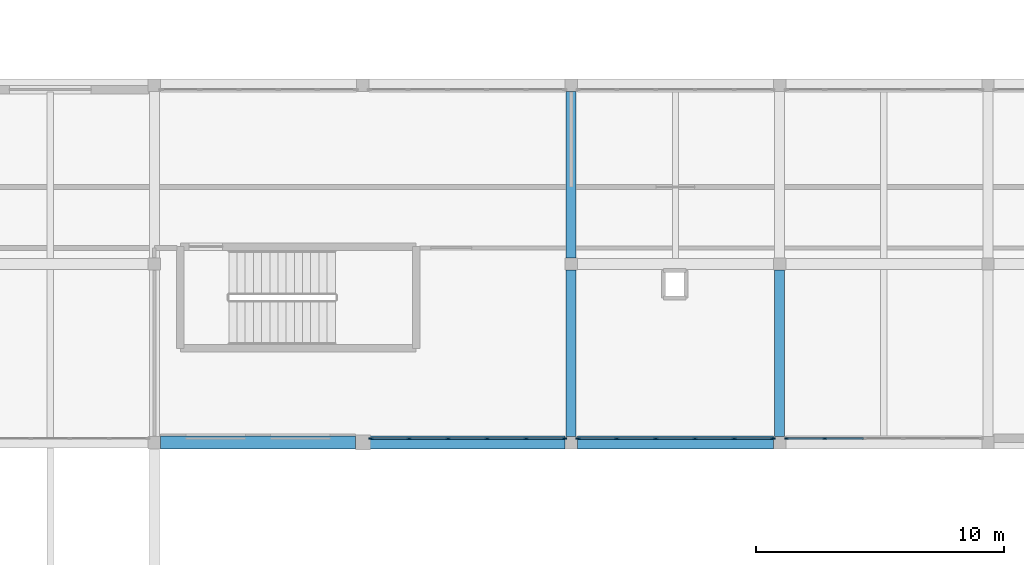
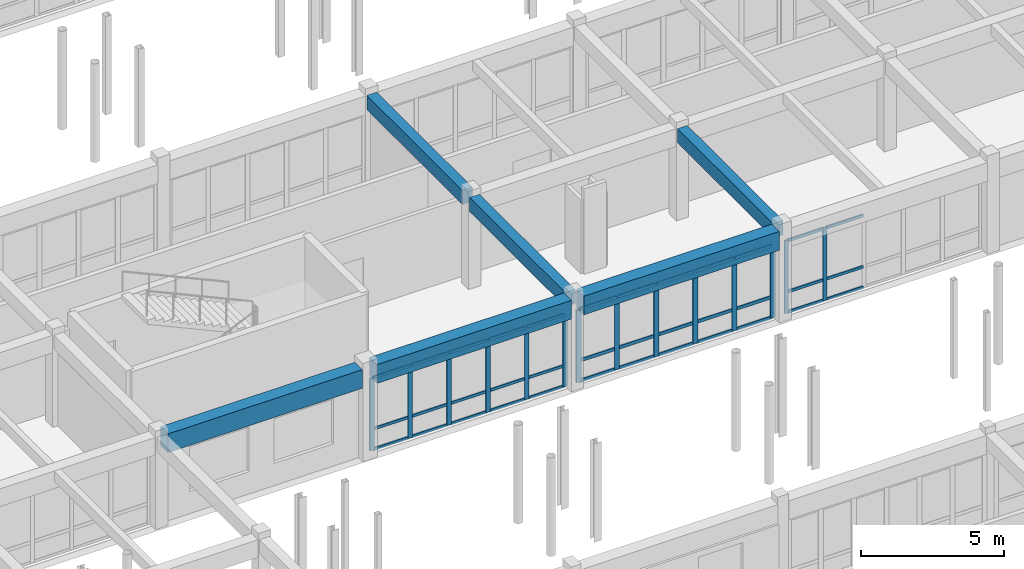
# One storey, part 51 of 147: 50 members, 6 beams, 3 elements without a shape of their own.
"""IFC4 building model written with IfcOpenShell, lengths in metres."""

from ifc_helpers import new_model, si_unit, direction, frame, origin, origin_2d, place, context, subcontext, project, spatial, rectangle, extrude, material, material_profile, profile_set, type_object, element, aggregate, save


model = new_model("IFC4")

# Units and contexts
model_context = context("Model", 3, precision=1e-05, world=origin(), true_north=direction((0.0, 1.0)))
body_context = subcontext(model_context, "Body", "Model", "MODEL_VIEW")
ifc_project = project(units=[si_unit("LENGTHUNIT", "METRE"), si_unit("AREAUNIT", "SQUARE_METRE"), si_unit("VOLUMEUNIT", "CUBIC_METRE"), si_unit("PLANEANGLEUNIT", "RADIAN"), si_unit("MASSUNIT", "GRAM", prefix="KILO")], contexts=[model_context])

# Site, building, storey
site_placement = place(None, origin())
site = spatial("IfcSite", under=ifc_project, at=site_placement, CompositionType="ELEMENT")
building_placement = place(site_placement, origin())
building = spatial("IfcBuilding", under=site, at=building_placement, Name="Malvenik Polytechnic", CompositionType="ELEMENT")
storey_placement = place(building_placement, frame((0.0, 0.0, 5.10009765625)))
storey = spatial("IfcBuildingStorey", under=building, at=storey_placement, Name="L01", CompositionType="ELEMENT", Elevation=5.10009765625)

# Curtain wall, members
ifc_material_1 = material(Name="Anodised aluminium 6060-T6", Category="aluminium")
curtain_wall_type = type_object("IfcCurtainWallType", Name="ARC-CW-CW-02", PredefinedType="NOTDEFINED", material=ifc_material_1)
curtain_wall_1_placement = place(storey_placement, origin())
curtain_wall_1 = element("IfcCurtainWall", 1, at=curtain_wall_1_placement, inside=storey, type_object=curtain_wall_type, Name="Unitised Curtain Wall CW-02 L01 #89", PredefinedType="NOTDEFINED")
ifc_material_2 = material(Name="Anodised aluminium", Category="aluminium")
ifc_material_profile_1 = material_profile(ifc_material_2, rectangle(XDim=0.06005859375, YDim=0.159912109375, at=origin_2d()), Name="ALU MULLION 60x160")
ifc_profile_set_1 = profile_set([ifc_material_profile_1], Name="Anodised aluminium")
member_type_1 = type_object("IfcMemberType", Name="ARC-CWM-160", PredefinedType="MULLION", material=ifc_profile_set_1)
member_1_placement = place(storey_placement, frame((119.4287109375, 50.570068359375, 0.0), z_axis=(0.0, 0.0, 1.0), x_axis=(0.0, -1.0, 0.0)))
member_1 = element("IfcMember", 2, at=member_1_placement, type_object=member_type_1, Name="CW-02 mullion 5", PredefinedType="MULLION", context=body_context, shape_type="SweptSolid", body=[
    extrude(rectangle(XDim=0.06005859375, YDim=0.159912109375, at=origin_2d()), origin(), (0.0, 0.0, 1.0), 3.10986328125),
])
member_2_placement = place(storey_placement, frame((117.8779296875, 50.570068359375, 0.0), z_axis=(0.0, 0.0, 1.0), x_axis=(0.0, -1.0, 0.0)))
member_2 = element("IfcMember", 3, at=member_2_placement, type_object=member_type_1, Name="CW-02 mullion 6", PredefinedType="MULLION", context=body_context, shape_type="SweptSolid", body=[
    extrude(rectangle(XDim=0.06005859375, YDim=0.159912109375, at=origin_2d()), origin(), (0.0, 0.0, 1.0), 3.10986328125),
])

curtain_wall_2_placement = place(storey_placement, origin())
curtain_wall_2 = element("IfcCurtainWall", 4, at=curtain_wall_2_placement, inside=storey, type_object=curtain_wall_type, Name="Unitised Curtain Wall CW-02 L01 #91", PredefinedType="NOTDEFINED")
ifc_material_profile_2 = material_profile(ifc_material_2, rectangle(XDim=0.06005859375, YDim=0.179931640625, at=origin_2d()), Name="ALU MULLION 60x180")
ifc_profile_set_2 = profile_set([ifc_material_profile_2], Name="Anodised aluminium")
member_type_2 = type_object("IfcMemberType", Name="ARC-CWM-180", PredefinedType="MULLION", material=ifc_profile_set_2)
member_3_placement = place(storey_placement, frame((108.922119140625, 50.570068359375, 0.0), z_axis=(0.0, 0.0, 1.0), x_axis=(0.0, -1.0, 0.0)))
member_3 = element("IfcMember", 5, at=member_3_placement, type_object=member_type_2, Name="CW-02 mullion 1", PredefinedType="MULLION", context=body_context, shape_type="SweptSolid", body=[
    extrude(rectangle(XDim=0.06005859375, YDim=0.179931640625, at=origin_2d()), origin(), (0.0, 0.0, 1.0), 3.10986328125),
])
member_4_placement = place(storey_placement, frame((107.381103515625, 50.570068359375, 0.0), z_axis=(0.0, 0.0, 1.0), x_axis=(0.0, -1.0, 0.0)))
member_4 = element("IfcMember", 6, at=member_4_placement, type_object=member_type_2, Name="CW-02 mullion 2", PredefinedType="MULLION", context=body_context, shape_type="SweptSolid", body=[
    extrude(rectangle(XDim=0.06005859375, YDim=0.179931640625, at=origin_2d()), origin(), (0.0, 0.0, 1.0), 3.10986328125),
])
member_5_placement = place(storey_placement, frame((105.810302734375, 50.570068359375, 0.0), z_axis=(0.0, 0.0, 1.0), x_axis=(0.0, -1.0, 0.0)))
member_5 = element("IfcMember", 7, at=member_5_placement, type_object=member_type_2, Name="CW-02 mullion 3", PredefinedType="MULLION", context=body_context, shape_type="SweptSolid", body=[
    extrude(rectangle(XDim=0.06005859375, YDim=0.179931640625, at=origin_2d()), origin(), (0.0, 0.0, 1.0), 3.10986328125),
])
member_6_placement = place(storey_placement, frame((104.239501953125, 50.570068359375, 0.0), z_axis=(0.0, 0.0, 1.0), x_axis=(0.0, -1.0, 0.0)))
member_6 = element("IfcMember", 8, at=member_6_placement, type_object=member_type_2, Name="CW-02 mullion 4", PredefinedType="MULLION", context=body_context, shape_type="SweptSolid", body=[
    extrude(rectangle(XDim=0.06005859375, YDim=0.179931640625, at=origin_2d()), origin(), (0.0, 0.0, 1.0), 3.10986328125),
])
member_7_placement = place(storey_placement, frame((102.668701171875, 50.570068359375, 0.0), z_axis=(0.0, 0.0, 1.0), x_axis=(0.0, -1.0, 0.0)))
member_7 = element("IfcMember", 9, at=member_7_placement, type_object=member_type_2, Name="CW-02 mullion 5", PredefinedType="MULLION", context=body_context, shape_type="SweptSolid", body=[
    extrude(rectangle(XDim=0.06005859375, YDim=0.179931640625, at=origin_2d()), origin(), (0.0, 0.0, 1.0), 3.10986328125),
])
member_8_placement = place(storey_placement, frame((101.1279296875, 50.570068359375, 0.0), z_axis=(0.0, 0.0, 1.0), x_axis=(0.0, -1.0, 0.0)))
member_8 = element("IfcMember", 10, at=member_8_placement, type_object=member_type_2, Name="CW-02 mullion 6", PredefinedType="MULLION", context=body_context, shape_type="SweptSolid", body=[
    extrude(rectangle(XDim=0.06005859375, YDim=0.179931640625, at=origin_2d()), origin(), (0.0, 0.0, 1.0), 3.10986328125),
])

curtain_wall_3_placement = place(storey_placement, origin())
curtain_wall_3 = element("IfcCurtainWall", 11, at=curtain_wall_3_placement, inside=storey, type_object=curtain_wall_type, Name="Unitised Curtain Wall CW-02 L01 #90", PredefinedType="NOTDEFINED")
ifc_material_profile_3 = material_profile(ifc_material_2, rectangle(XDim=0.06005859375, YDim=0.199951171875, at=origin_2d()), Name="ALU MULLION 60x200")
ifc_profile_set_3 = profile_set([ifc_material_profile_3], Name="Anodised aluminium")
member_type_3 = type_object("IfcMemberType", Name="ARC-CWM-200", PredefinedType="MULLION", material=ifc_profile_set_3)
member_9_placement = place(storey_placement, frame((117.322021484375, 50.570068359375, 0.0), z_axis=(0.0, 0.0, 1.0), x_axis=(0.0, -1.0, 0.0)))
member_9 = element("IfcMember", 12, at=member_9_placement, type_object=member_type_3, Name="CW-02 mullion 1", PredefinedType="MULLION", context=body_context, shape_type="SweptSolid", body=[
    extrude(rectangle(XDim=0.06005859375, YDim=0.199951171875, at=origin_2d()), origin(), (0.0, 0.0, 1.0), 3.10986328125),
])
member_10_placement = place(storey_placement, frame((115.771240234375, 50.570068359375, 0.0), z_axis=(0.0, 0.0, 1.0), x_axis=(0.0, -1.0, 0.0)))
member_10 = element("IfcMember", 13, at=member_10_placement, type_object=member_type_3, Name="CW-02 mullion 2", PredefinedType="MULLION", context=body_context, shape_type="SweptSolid", body=[
    extrude(rectangle(XDim=0.06005859375, YDim=0.199951171875, at=origin_2d()), origin(), (0.0, 0.0, 1.0), 3.10986328125),
])
member_11_placement = place(storey_placement, frame((114.1904296875, 50.570068359375, 0.0), z_axis=(0.0, 0.0, 1.0), x_axis=(0.0, -1.0, 0.0)))
member_11 = element("IfcMember", 14, at=member_11_placement, type_object=member_type_3, Name="CW-02 mullion 3", PredefinedType="MULLION", context=body_context, shape_type="SweptSolid", body=[
    extrude(rectangle(XDim=0.06005859375, YDim=0.199951171875, at=origin_2d()), origin(), (0.0, 0.0, 1.0), 3.10986328125),
])
member_12_placement = place(storey_placement, frame((112.609619140625, 50.570068359375, 0.0), z_axis=(0.0, 0.0, 1.0), x_axis=(0.0, -1.0, 0.0)))
member_12 = element("IfcMember", 15, at=member_12_placement, type_object=member_type_3, Name="CW-02 mullion 4", PredefinedType="MULLION", context=body_context, shape_type="SweptSolid", body=[
    extrude(rectangle(XDim=0.06005859375, YDim=0.199951171875, at=origin_2d()), origin(), (0.0, 0.0, 1.0), 3.10986328125),
])
member_13_placement = place(storey_placement, frame((111.02880859375, 50.570068359375, 0.0), z_axis=(0.0, 0.0, 1.0), x_axis=(0.0, -1.0, 0.0)))
member_13 = element("IfcMember", 16, at=member_13_placement, type_object=member_type_3, Name="CW-02 mullion 5", PredefinedType="MULLION", context=body_context, shape_type="SweptSolid", body=[
    extrude(rectangle(XDim=0.06005859375, YDim=0.199951171875, at=origin_2d()), origin(), (0.0, 0.0, 1.0), 3.10986328125),
])
member_14_placement = place(storey_placement, frame((109.47802734375, 50.570068359375, 0.0), z_axis=(0.0, 0.0, 1.0), x_axis=(0.0, -1.0, 0.0)))
member_14 = element("IfcMember", 17, at=member_14_placement, type_object=member_type_3, Name="CW-02 mullion 6", PredefinedType="MULLION", context=body_context, shape_type="SweptSolid", body=[
    extrude(rectangle(XDim=0.06005859375, YDim=0.199951171875, at=origin_2d()), origin(), (0.0, 0.0, 1.0), 3.10986328125),
])

# Member
ifc_material_profile_4 = material_profile(ifc_material_2, rectangle(XDim=0.06005859375, YDim=0.1201171875, at=origin_2d()), Name="ALU TRANSOM 60x120")
ifc_profile_set_4 = profile_set([ifc_material_profile_4], Name="Anodised aluminium")
member_type_4 = type_object("IfcMemberType", Name="ARC-CWT-120", PredefinedType="USERDEFINED", material=ifc_profile_set_4)
member_15_placement = place(storey_placement, frame((120.9794921875, 50.570068359375, 0.02978515625), z_axis=(-1.0, 0.0, 0.0), x_axis=(0.0, -1.0, 0.0)))
member_15 = element("IfcMember", 18, at=member_15_placement, type_object=member_type_4, Name="CW-02 transom 4.1", ObjectType="TRANSOM", PredefinedType="USERDEFINED", context=body_context, shape_type="SweptSolid", body=[
    extrude(rectangle(XDim=0.06005859375, YDim=0.1201171875, at=origin_2d()), origin(), (0.0, 0.0, 1.0), 1.520751953125),
])

member_16_placement = place(storey_placement, frame((120.9794921875, 50.570068359375, 0.89990234375), z_axis=(-1.0, 0.0, 0.0), x_axis=(0.0, -1.0, 0.0)))
member_16 = element("IfcMember", 19, at=member_16_placement, type_object=member_type_4, Name="CW-02 transom 4.2", ObjectType="TRANSOM", PredefinedType="USERDEFINED", context=body_context, shape_type="SweptSolid", body=[
    extrude(rectangle(XDim=0.06005859375, YDim=0.1201171875, at=origin_2d()), origin(), (0.0, 0.0, 1.0), 1.520751953125),
])

member_17_placement = place(storey_placement, frame((120.9794921875, 50.570068359375, 3.079833984375), z_axis=(-1.0, 0.0, 0.0), x_axis=(0.0, -1.0, 0.0)))
member_17 = element("IfcMember", 20, at=member_17_placement, type_object=member_type_4, Name="CW-02 transom 4.3", ObjectType="TRANSOM", PredefinedType="USERDEFINED", context=body_context, shape_type="SweptSolid", body=[
    extrude(rectangle(XDim=0.06005859375, YDim=0.1201171875, at=origin_2d()), origin(), (0.0, 0.0, 1.0), 1.520751953125),
])

member_18_placement = place(storey_placement, frame((119.398681640625, 50.570068359375, 0.02978515625), z_axis=(-1.0, 0.0, 0.0), x_axis=(0.0, -1.0, 0.0)))
member_18 = element("IfcMember", 21, at=member_18_placement, type_object=member_type_4, Name="CW-02 transom 5.1", ObjectType="TRANSOM", PredefinedType="USERDEFINED", context=body_context, shape_type="SweptSolid", body=[
    extrude(rectangle(XDim=0.06005859375, YDim=0.1201171875, at=origin_2d()), origin(), (0.0, 0.0, 1.0), 1.49072265625),
])

member_19_placement = place(storey_placement, frame((119.398681640625, 50.570068359375, 0.89990234375), z_axis=(-1.0, 0.0, 0.0), x_axis=(0.0, -1.0, 0.0)))
member_19 = element("IfcMember", 22, at=member_19_placement, type_object=member_type_4, Name="CW-02 transom 5.2", ObjectType="TRANSOM", PredefinedType="USERDEFINED", context=body_context, shape_type="SweptSolid", body=[
    extrude(rectangle(XDim=0.06005859375, YDim=0.1201171875, at=origin_2d()), origin(), (0.0, 0.0, 1.0), 1.49072265625),
])

member_20_placement = place(storey_placement, frame((119.398681640625, 50.570068359375, 3.079833984375), z_axis=(-1.0, 0.0, 0.0), x_axis=(0.0, -1.0, 0.0)))
member_20 = element("IfcMember", 23, at=member_20_placement, type_object=member_type_4, Name="CW-02 transom 5.3", ObjectType="TRANSOM", PredefinedType="USERDEFINED", context=body_context, shape_type="SweptSolid", body=[
    extrude(rectangle(XDim=0.06005859375, YDim=0.1201171875, at=origin_2d()), origin(), (0.0, 0.0, 1.0), 1.49072265625),
])

aggregate(curtain_wall_1, [member_1, member_2, member_15, member_16, member_17, member_18, member_19, member_20])

member_21_placement = place(storey_placement, frame((108.89208984375, 50.570068359375, 0.02978515625), z_axis=(-1.0, 0.0, 0.0), x_axis=(0.0, -1.0, 0.0)))
member_21 = element("IfcMember", 24, at=member_21_placement, type_object=member_type_4, Name="CW-02 transom 1.1", ObjectType="TRANSOM", PredefinedType="USERDEFINED", context=body_context, shape_type="SweptSolid", body=[
    extrude(rectangle(XDim=0.06005859375, YDim=0.1201171875, at=origin_2d()), origin(), (0.0, 0.0, 1.0), 1.48095703125),
])

member_22_placement = place(storey_placement, frame((108.89208984375, 50.570068359375, 0.89990234375), z_axis=(-1.0, 0.0, 0.0), x_axis=(0.0, -1.0, 0.0)))
member_22 = element("IfcMember", 25, at=member_22_placement, type_object=member_type_4, Name="CW-02 transom 1.2", ObjectType="TRANSOM", PredefinedType="USERDEFINED", context=body_context, shape_type="SweptSolid", body=[
    extrude(rectangle(XDim=0.06005859375, YDim=0.1201171875, at=origin_2d()), origin(), (0.0, 0.0, 1.0), 1.48095703125),
])

member_23_placement = place(storey_placement, frame((108.89208984375, 50.570068359375, 3.079833984375), z_axis=(-1.0, 0.0, 0.0), x_axis=(0.0, -1.0, 0.0)))
member_23 = element("IfcMember", 26, at=member_23_placement, type_object=member_type_4, Name="CW-02 transom 1.3", ObjectType="TRANSOM", PredefinedType="USERDEFINED", context=body_context, shape_type="SweptSolid", body=[
    extrude(rectangle(XDim=0.06005859375, YDim=0.1201171875, at=origin_2d()), origin(), (0.0, 0.0, 1.0), 1.48095703125),
])

member_24_placement = place(storey_placement, frame((107.351318359375, 50.570068359375, 0.02978515625), z_axis=(-1.0, 0.0, 0.0), x_axis=(0.0, -1.0, 0.0)))
member_24 = element("IfcMember", 27, at=member_24_placement, type_object=member_type_4, Name="CW-02 transom 2.1", ObjectType="TRANSOM", PredefinedType="USERDEFINED", context=body_context, shape_type="SweptSolid", body=[
    extrude(rectangle(XDim=0.06005859375, YDim=0.1201171875, at=origin_2d()), origin(), (0.0, 0.0, 1.0), 1.510986328125),
])

member_25_placement = place(storey_placement, frame((107.351318359375, 50.570068359375, 0.89990234375), z_axis=(-1.0, 0.0, 0.0), x_axis=(0.0, -1.0, 0.0)))
member_25 = element("IfcMember", 28, at=member_25_placement, type_object=member_type_4, Name="CW-02 transom 2.2", ObjectType="TRANSOM", PredefinedType="USERDEFINED", context=body_context, shape_type="SweptSolid", body=[
    extrude(rectangle(XDim=0.06005859375, YDim=0.1201171875, at=origin_2d()), origin(), (0.0, 0.0, 1.0), 1.510986328125),
])

member_26_placement = place(storey_placement, frame((107.351318359375, 50.570068359375, 3.079833984375), z_axis=(-1.0, 0.0, 0.0), x_axis=(0.0, -1.0, 0.0)))
member_26 = element("IfcMember", 29, at=member_26_placement, type_object=member_type_4, Name="CW-02 transom 2.3", ObjectType="TRANSOM", PredefinedType="USERDEFINED", context=body_context, shape_type="SweptSolid", body=[
    extrude(rectangle(XDim=0.06005859375, YDim=0.1201171875, at=origin_2d()), origin(), (0.0, 0.0, 1.0), 1.510986328125),
])

member_27_placement = place(storey_placement, frame((105.780517578125, 50.570068359375, 0.02978515625), z_axis=(-1.0, 0.0, 0.0), x_axis=(0.0, -1.0, 0.0)))
member_27 = element("IfcMember", 30, at=member_27_placement, type_object=member_type_4, Name="CW-02 transom 3.1", ObjectType="TRANSOM", PredefinedType="USERDEFINED", context=body_context, shape_type="SweptSolid", body=[
    extrude(rectangle(XDim=0.06005859375, YDim=0.1201171875, at=origin_2d()), origin(), (0.0, 0.0, 1.0), 1.510986328125),
])

member_28_placement = place(storey_placement, frame((105.780517578125, 50.570068359375, 0.89990234375), z_axis=(-1.0, 0.0, 0.0), x_axis=(0.0, -1.0, 0.0)))
member_28 = element("IfcMember", 31, at=member_28_placement, type_object=member_type_4, Name="CW-02 transom 3.2", ObjectType="TRANSOM", PredefinedType="USERDEFINED", context=body_context, shape_type="SweptSolid", body=[
    extrude(rectangle(XDim=0.06005859375, YDim=0.1201171875, at=origin_2d()), origin(), (0.0, 0.0, 1.0), 1.510986328125),
])

member_29_placement = place(storey_placement, frame((105.780517578125, 50.570068359375, 3.079833984375), z_axis=(-1.0, 0.0, 0.0), x_axis=(0.0, -1.0, 0.0)))
member_29 = element("IfcMember", 32, at=member_29_placement, type_object=member_type_4, Name="CW-02 transom 3.3", ObjectType="TRANSOM", PredefinedType="USERDEFINED", context=body_context, shape_type="SweptSolid", body=[
    extrude(rectangle(XDim=0.06005859375, YDim=0.1201171875, at=origin_2d()), origin(), (0.0, 0.0, 1.0), 1.510986328125),
])

member_30_placement = place(storey_placement, frame((104.209716796875, 50.570068359375, 0.02978515625), z_axis=(-1.0, 0.0, 0.0), x_axis=(0.0, -1.0, 0.0)))
member_30 = element("IfcMember", 33, at=member_30_placement, type_object=member_type_4, Name="CW-02 transom 4.1", ObjectType="TRANSOM", PredefinedType="USERDEFINED", context=body_context, shape_type="SweptSolid", body=[
    extrude(rectangle(XDim=0.06005859375, YDim=0.1201171875, at=origin_2d()), origin(), (0.0, 0.0, 1.0), 1.510986328125),
])

member_31_placement = place(storey_placement, frame((104.209716796875, 50.570068359375, 0.89990234375), z_axis=(-1.0, 0.0, 0.0), x_axis=(0.0, -1.0, 0.0)))
member_31 = element("IfcMember", 34, at=member_31_placement, type_object=member_type_4, Name="CW-02 transom 4.2", ObjectType="TRANSOM", PredefinedType="USERDEFINED", context=body_context, shape_type="SweptSolid", body=[
    extrude(rectangle(XDim=0.06005859375, YDim=0.1201171875, at=origin_2d()), origin(), (0.0, 0.0, 1.0), 1.510986328125),
])

member_32_placement = place(storey_placement, frame((104.209716796875, 50.570068359375, 3.079833984375), z_axis=(-1.0, 0.0, 0.0), x_axis=(0.0, -1.0, 0.0)))
member_32 = element("IfcMember", 35, at=member_32_placement, type_object=member_type_4, Name="CW-02 transom 4.3", ObjectType="TRANSOM", PredefinedType="USERDEFINED", context=body_context, shape_type="SweptSolid", body=[
    extrude(rectangle(XDim=0.06005859375, YDim=0.1201171875, at=origin_2d()), origin(), (0.0, 0.0, 1.0), 1.510986328125),
])

member_33_placement = place(storey_placement, frame((102.638916015625, 50.570068359375, 0.02978515625), z_axis=(-1.0, 0.0, 0.0), x_axis=(0.0, -1.0, 0.0)))
member_33 = element("IfcMember", 36, at=member_33_placement, type_object=member_type_4, Name="CW-02 transom 5.1", ObjectType="TRANSOM", PredefinedType="USERDEFINED", context=body_context, shape_type="SweptSolid", body=[
    extrude(rectangle(XDim=0.06005859375, YDim=0.1201171875, at=origin_2d()), origin(), (0.0, 0.0, 1.0), 1.48095703125),
])

member_34_placement = place(storey_placement, frame((102.638916015625, 50.570068359375, 0.89990234375), z_axis=(-1.0, 0.0, 0.0), x_axis=(0.0, -1.0, 0.0)))
member_34 = element("IfcMember", 37, at=member_34_placement, type_object=member_type_4, Name="CW-02 transom 5.2", ObjectType="TRANSOM", PredefinedType="USERDEFINED", context=body_context, shape_type="SweptSolid", body=[
    extrude(rectangle(XDim=0.06005859375, YDim=0.1201171875, at=origin_2d()), origin(), (0.0, 0.0, 1.0), 1.48095703125),
])

member_35_placement = place(storey_placement, frame((102.638916015625, 50.570068359375, 3.079833984375), z_axis=(-1.0, 0.0, 0.0), x_axis=(0.0, -1.0, 0.0)))
member_35 = element("IfcMember", 38, at=member_35_placement, type_object=member_type_4, Name="CW-02 transom 5.3", ObjectType="TRANSOM", PredefinedType="USERDEFINED", context=body_context, shape_type="SweptSolid", body=[
    extrude(rectangle(XDim=0.06005859375, YDim=0.1201171875, at=origin_2d()), origin(), (0.0, 0.0, 1.0), 1.48095703125),
])

aggregate(curtain_wall_2, [member_3, member_4, member_5, member_6, member_7, member_8, member_21, member_22, member_23, member_24, member_25, member_26, member_27, member_28, member_29, member_30, member_31, member_32, member_33, member_34, member_35])

ifc_material_profile_5 = material_profile(ifc_material_2, rectangle(XDim=0.06005859375, YDim=0.139892578125, at=origin_2d()), Name="ALU TRANSOM 60x140")
ifc_profile_set_5 = profile_set([ifc_material_profile_5], Name="Anodised aluminium")
member_type_5 = type_object("IfcMemberType", Name="ARC-CWT-140", PredefinedType="USERDEFINED", material=ifc_profile_set_5)
member_36_placement = place(storey_placement, frame((117.2919921875, 50.570068359375, 0.02978515625), z_axis=(-1.0, 0.0, 0.0), x_axis=(0.0, -1.0, 0.0)))
member_36 = element("IfcMember", 39, at=member_36_placement, type_object=member_type_5, Name="CW-02 transom 1.1", ObjectType="TRANSOM", PredefinedType="USERDEFINED", context=body_context, shape_type="SweptSolid", body=[
    extrude(rectangle(XDim=0.06005859375, YDim=0.139892578125, at=origin_2d()), origin(), (0.0, 0.0, 1.0), 1.49072265625),
])

member_37_placement = place(storey_placement, frame((117.2919921875, 50.570068359375, 0.89990234375), z_axis=(-1.0, 0.0, 0.0), x_axis=(0.0, -1.0, 0.0)))
member_37 = element("IfcMember", 40, at=member_37_placement, type_object=member_type_5, Name="CW-02 transom 1.2", ObjectType="TRANSOM", PredefinedType="USERDEFINED", context=body_context, shape_type="SweptSolid", body=[
    extrude(rectangle(XDim=0.06005859375, YDim=0.139892578125, at=origin_2d()), origin(), (0.0, 0.0, 1.0), 1.49072265625),
])

member_38_placement = place(storey_placement, frame((117.2919921875, 50.570068359375, 3.079833984375), z_axis=(-1.0, 0.0, 0.0), x_axis=(0.0, -1.0, 0.0)))
member_38 = element("IfcMember", 41, at=member_38_placement, type_object=member_type_5, Name="CW-02 transom 1.3", ObjectType="TRANSOM", PredefinedType="USERDEFINED", context=body_context, shape_type="SweptSolid", body=[
    extrude(rectangle(XDim=0.06005859375, YDim=0.139892578125, at=origin_2d()), origin(), (0.0, 0.0, 1.0), 1.49072265625),
])

member_39_placement = place(storey_placement, frame((115.7412109375, 50.570068359375, 0.02978515625), z_axis=(-1.0, 0.0, 0.0), x_axis=(0.0, -1.0, 0.0)))
member_39 = element("IfcMember", 42, at=member_39_placement, type_object=member_type_5, Name="CW-02 transom 2.1", ObjectType="TRANSOM", PredefinedType="USERDEFINED", context=body_context, shape_type="SweptSolid", body=[
    extrude(rectangle(XDim=0.06005859375, YDim=0.139892578125, at=origin_2d()), origin(), (0.0, 0.0, 1.0), 1.520751953125),
])

member_40_placement = place(storey_placement, frame((115.7412109375, 50.570068359375, 0.89990234375), z_axis=(-1.0, 0.0, 0.0), x_axis=(0.0, -1.0, 0.0)))
member_40 = element("IfcMember", 43, at=member_40_placement, type_object=member_type_5, Name="CW-02 transom 2.2", ObjectType="TRANSOM", PredefinedType="USERDEFINED", context=body_context, shape_type="SweptSolid", body=[
    extrude(rectangle(XDim=0.06005859375, YDim=0.139892578125, at=origin_2d()), origin(), (0.0, 0.0, 1.0), 1.520751953125),
])

member_41_placement = place(storey_placement, frame((115.7412109375, 50.570068359375, 3.079833984375), z_axis=(-1.0, 0.0, 0.0), x_axis=(0.0, -1.0, 0.0)))
member_41 = element("IfcMember", 44, at=member_41_placement, type_object=member_type_5, Name="CW-02 transom 2.3", ObjectType="TRANSOM", PredefinedType="USERDEFINED", context=body_context, shape_type="SweptSolid", body=[
    extrude(rectangle(XDim=0.06005859375, YDim=0.139892578125, at=origin_2d()), origin(), (0.0, 0.0, 1.0), 1.520751953125),
])

member_42_placement = place(storey_placement, frame((114.160400390625, 50.570068359375, 0.02978515625), z_axis=(-1.0, 0.0, 0.0), x_axis=(0.0, -1.0, 0.0)))
member_42 = element("IfcMember", 45, at=member_42_placement, type_object=member_type_5, Name="CW-02 transom 3.1", ObjectType="TRANSOM", PredefinedType="USERDEFINED", context=body_context, shape_type="SweptSolid", body=[
    extrude(rectangle(XDim=0.06005859375, YDim=0.139892578125, at=origin_2d()), origin(), (0.0, 0.0, 1.0), 1.520751953125),
])

member_43_placement = place(storey_placement, frame((114.160400390625, 50.570068359375, 0.89990234375), z_axis=(-1.0, 0.0, 0.0), x_axis=(0.0, -1.0, 0.0)))
member_43 = element("IfcMember", 46, at=member_43_placement, type_object=member_type_5, Name="CW-02 transom 3.2", ObjectType="TRANSOM", PredefinedType="USERDEFINED", context=body_context, shape_type="SweptSolid", body=[
    extrude(rectangle(XDim=0.06005859375, YDim=0.139892578125, at=origin_2d()), origin(), (0.0, 0.0, 1.0), 1.520751953125),
])

member_44_placement = place(storey_placement, frame((114.160400390625, 50.570068359375, 3.079833984375), z_axis=(-1.0, 0.0, 0.0), x_axis=(0.0, -1.0, 0.0)))
member_44 = element("IfcMember", 47, at=member_44_placement, type_object=member_type_5, Name="CW-02 transom 3.3", ObjectType="TRANSOM", PredefinedType="USERDEFINED", context=body_context, shape_type="SweptSolid", body=[
    extrude(rectangle(XDim=0.06005859375, YDim=0.139892578125, at=origin_2d()), origin(), (0.0, 0.0, 1.0), 1.520751953125),
])

member_45_placement = place(storey_placement, frame((112.57958984375, 50.570068359375, 0.02978515625), z_axis=(-1.0, 0.0, 0.0), x_axis=(0.0, -1.0, 0.0)))
member_45 = element("IfcMember", 48, at=member_45_placement, type_object=member_type_5, Name="CW-02 transom 4.1", ObjectType="TRANSOM", PredefinedType="USERDEFINED", context=body_context, shape_type="SweptSolid", body=[
    extrude(rectangle(XDim=0.06005859375, YDim=0.139892578125, at=origin_2d()), origin(), (0.0, 0.0, 1.0), 1.520751953125),
])

member_46_placement = place(storey_placement, frame((112.57958984375, 50.570068359375, 0.89990234375), z_axis=(-1.0, 0.0, 0.0), x_axis=(0.0, -1.0, 0.0)))
member_46 = element("IfcMember", 49, at=member_46_placement, type_object=member_type_5, Name="CW-02 transom 4.2", ObjectType="TRANSOM", PredefinedType="USERDEFINED", context=body_context, shape_type="SweptSolid", body=[
    extrude(rectangle(XDim=0.06005859375, YDim=0.139892578125, at=origin_2d()), origin(), (0.0, 0.0, 1.0), 1.520751953125),
])

member_47_placement = place(storey_placement, frame((112.57958984375, 50.570068359375, 3.079833984375), z_axis=(-1.0, 0.0, 0.0), x_axis=(0.0, -1.0, 0.0)))
member_47 = element("IfcMember", 50, at=member_47_placement, type_object=member_type_5, Name="CW-02 transom 4.3", ObjectType="TRANSOM", PredefinedType="USERDEFINED", context=body_context, shape_type="SweptSolid", body=[
    extrude(rectangle(XDim=0.06005859375, YDim=0.139892578125, at=origin_2d()), origin(), (0.0, 0.0, 1.0), 1.520751953125),
])

member_48_placement = place(storey_placement, frame((110.998779296875, 50.570068359375, 0.02978515625), z_axis=(-1.0, 0.0, 0.0), x_axis=(0.0, -1.0, 0.0)))
member_48 = element("IfcMember", 51, at=member_48_placement, type_object=member_type_5, Name="CW-02 transom 5.1", ObjectType="TRANSOM", PredefinedType="USERDEFINED", context=body_context, shape_type="SweptSolid", body=[
    extrude(rectangle(XDim=0.06005859375, YDim=0.139892578125, at=origin_2d()), origin(), (0.0, 0.0, 1.0), 1.49072265625),
])

member_49_placement = place(storey_placement, frame((110.998779296875, 50.570068359375, 0.89990234375), z_axis=(-1.0, 0.0, 0.0), x_axis=(0.0, -1.0, 0.0)))
member_49 = element("IfcMember", 52, at=member_49_placement, type_object=member_type_5, Name="CW-02 transom 5.2", ObjectType="TRANSOM", PredefinedType="USERDEFINED", context=body_context, shape_type="SweptSolid", body=[
    extrude(rectangle(XDim=0.06005859375, YDim=0.139892578125, at=origin_2d()), origin(), (0.0, 0.0, 1.0), 1.49072265625),
])

member_50_placement = place(storey_placement, frame((110.998779296875, 50.570068359375, 3.079833984375), z_axis=(-1.0, 0.0, 0.0), x_axis=(0.0, -1.0, 0.0)))
member_50 = element("IfcMember", 53, at=member_50_placement, type_object=member_type_5, Name="CW-02 transom 5.3", ObjectType="TRANSOM", PredefinedType="USERDEFINED", context=body_context, shape_type="SweptSolid", body=[
    extrude(rectangle(XDim=0.06005859375, YDim=0.139892578125, at=origin_2d()), origin(), (0.0, 0.0, 1.0), 1.49072265625),
])

aggregate(curtain_wall_3, [member_9, member_10, member_11, member_12, member_13, member_14, member_36, member_37, member_38, member_39, member_40, member_41, member_42, member_43, member_44, member_45, member_46, member_47, member_48, member_49, member_50])

# Beams
ifc_material_3 = material(Name="Concrete C35/45", Category="concrete")
ifc_material_profile_6 = material_profile(ifc_material_3, rectangle(XDim=0.39990234375, YDim=0.60009765625, at=origin_2d()), Name="RC BM 400x600")
ifc_profile_set_6 = profile_set([ifc_material_profile_6], Name="Concrete C35/45")
beam_type_1 = type_object("IfcBeamType", Name="STR-BM-B-06", PredefinedType="BEAM", material=ifc_profile_set_6)
for number, where, z_axis, x_axis, name in (
    (54, (109.199951171875, 50.64794921875, 3.619873046875), (0.0, 1.0, 0.0), (-1.0, 0.0, 0.0), "Transverse Beam B-06 L01 #1211"),
    (55, (109.199951171875, 57.847900390625, 3.619873046875), (0.0, 1.0, 0.0), (-1.0, 0.0, 0.0), "Transverse Beam B-06 L01 #1212"),
    (56, (117.60009765625, 50.64794921875, 3.619873046875), (0.0, 1.0, 0.0), (-1.0, 0.0, 0.0), "Transverse Beam B-06 L01 #1222"),
):
    element("IfcBeam", number, at=place(storey_placement, frame(where, z_axis=z_axis, x_axis=x_axis)), inside=storey, type_object=beam_type_1, Name=name, PredefinedType="BEAM", context=body_context, shape_type="SweptSolid", body=[
        extrude(rectangle(XDim=0.39990234375, YDim=0.60009765625, at=origin_2d()), origin(), (0.0, 0.0, 1.0), 6.7041015625),
    ])
ifc_material_4 = material(Name="Precast concrete C40/50", Category="concrete")
ifc_material_profile_7 = material_profile(ifc_material_4, rectangle(XDim=0.52001953125, YDim=0.800048828125, at=origin_2d()), Name="PC SPN 520x800")
ifc_profile_set_7 = profile_set([ifc_material_profile_7], Name="Precast concrete C40/50")
beam_type_2 = type_object("IfcBeamType", Name="STR-BM-SP-01", PredefinedType="SPANDREL", material=ifc_profile_set_7)
for number, where, z_axis, x_axis, name in (
    (57, (92.64794921875, 50.39990234375, 3.52001953125), (1.0, 0.0, 0.0), (0.0, 1.0, 0.0), "Primary Beam SP-01 L01 #1010"),
    (58, (101.097900390625, 50.39990234375, 3.52001953125), (1.0, 0.0, 0.0), (0.0, 1.0, 0.0), "Primary Beam SP-01 L01 #1011"),
):
    element("IfcBeam", number, at=place(storey_placement, frame(where, z_axis=z_axis, x_axis=x_axis)), inside=storey, type_object=beam_type_2, Name=name, PredefinedType="SPANDREL", context=body_context, shape_type="SweptSolid", body=[
        extrude(rectangle(XDim=0.52001953125, YDim=0.800048828125, at=origin_2d()), origin(), (0.0, 0.0, 1.0), 7.85400390625),
    ])
beam_placement = place(storey_placement, frame((109.447998046875, 50.39990234375, 3.52001953125), z_axis=(1.0, 0.0, 0.0), x_axis=(0.0, 1.0, 0.0)))
element("IfcBeam", 59, at=beam_placement, inside=storey, type_object=beam_type_2, Name="Primary Beam SP-01 L01 #1012", PredefinedType="SPANDREL", context=body_context, shape_type="SweptSolid", body=[
    extrude(rectangle(XDim=0.52001953125, YDim=0.800048828125, at=origin_2d()), origin(), (0.0, 0.0, 1.0), 7.904052734375),
])

save(model, "model.ifc")
